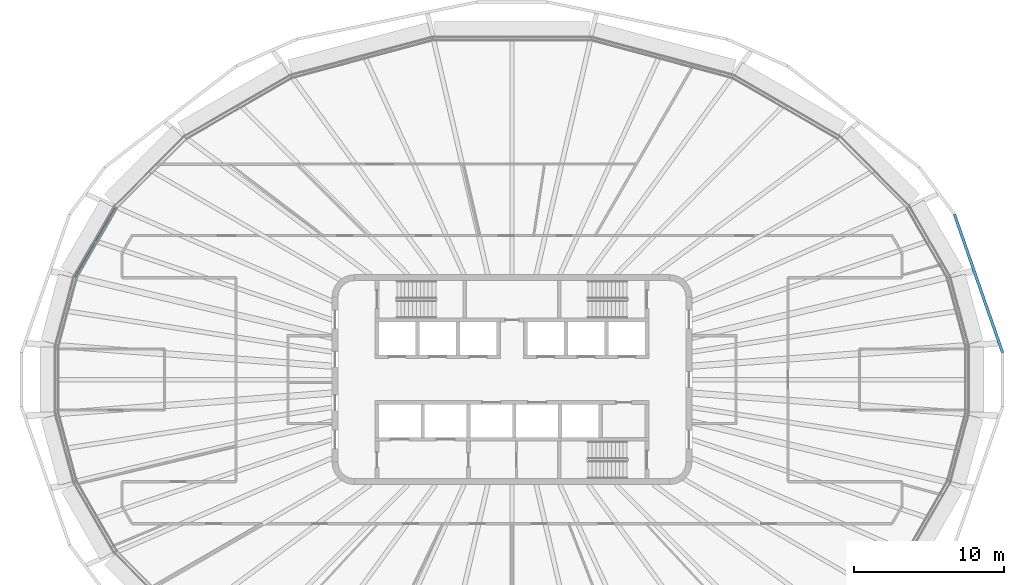
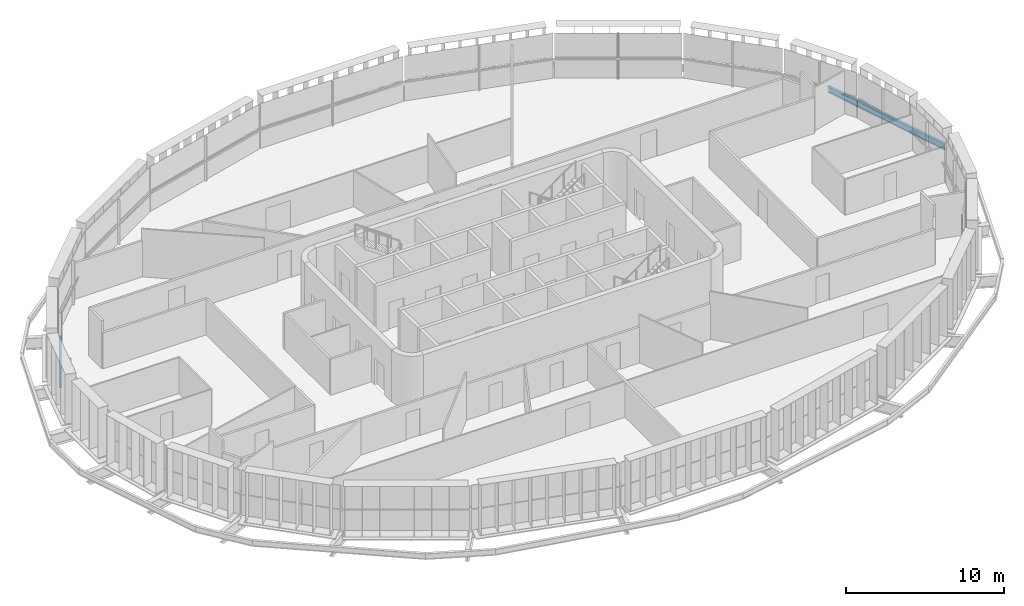
# One storey, part 5 of 20: 2 beams.
"""IFC4 building model written with IfcOpenShell, lengths in metres."""

from ifc_helpers import new_model, si_unit, direction, frame, origin, origin_2d, place, context, subcontext, project, spatial, i_section, extrude, material, material_profile, profile_set, type_object, element, save


model = new_model("IFC4")

# Units and contexts
model_context = context("Model", 3, precision=1e-05, world=origin(), true_north=direction((0.0, 1.0)))
body_context = subcontext(model_context, "Body", "Model", "MODEL_VIEW")
ifc_project = project(units=[si_unit("LENGTHUNIT", "METRE"), si_unit("AREAUNIT", "SQUARE_METRE"), si_unit("VOLUMEUNIT", "CUBIC_METRE"), si_unit("PLANEANGLEUNIT", "RADIAN"), si_unit("MASSUNIT", "GRAM", prefix="KILO")], contexts=[model_context])

# Site, building, storey
site_placement = place(None, origin())
site = spatial("IfcSite", under=ifc_project, at=site_placement, CompositionType="ELEMENT")
building_placement = place(site_placement, origin())
building = spatial("IfcBuilding", under=site, at=building_placement, Name="Sahrelin Media Tower", CompositionType="ELEMENT")
storey_placement = place(building_placement, frame((0.0, 0.0, 245.60009765625)))
storey = spatial("IfcBuildingStorey", under=building, at=storey_placement, Name="L53", CompositionType="ELEMENT", Elevation=245.60009765625)

# Beams
ifc_material = material(Name="Steel S355", Category="steel")
ifc_material_profile_1 = material_profile(ifc_material, i_section(OverallWidth=0.1650390625, OverallDepth=0.303466796875, WebThickness=0.006103515625, FlangeThickness=0.01025390625, FilletRadius=0.0087890625, at=origin_2d()), Name="UB 305x165x40")
ifc_profile_set_1 = profile_set([ifc_material_profile_1], Name="Steel S355")
beam_type_1 = type_object("IfcBeamType", Name="Edge beam EB2", PredefinedType="BEAM", material=ifc_profile_set_1)
beam_1_placement = place(storey_placement, frame((-29.07177734375, 6.82470703125, -0.3017578125), z_axis=(0.500034814518, 0.86600530268, 0.0), x_axis=(-0.86600530268, 0.500034814518, 0.0)))
element("IfcBeam", 1, at=beam_1_placement, inside=storey, type_object=beam_type_1, Name="Edge beam L53-15", PredefinedType="BEAM", context=body_context, shape_type="SweptSolid", body=[
    extrude(i_section(OverallWidth=0.1650390625, OverallDepth=0.303466796875, WebThickness=0.006103515625, FlangeThickness=0.01025390625, FilletRadius=0.0087890625, at=origin_2d()), origin(), (0.0, 0.0, 1.0), 5.3447265625),
])
ifc_material_profile_2 = material_profile(ifc_material, i_section(OverallWidth=0.1904296875, OverallDepth=0.45703125, WebThickness=0.009033203125, FlangeThickness=0.014404296875, FilletRadius=0.01025390625, at=origin_2d()), Name="UB 457x191x74")
ifc_profile_set_2 = profile_set([ifc_material_profile_2], Name="Steel S355")
beam_type_2 = type_object("IfcBeamType", Name="Tie chord TC5", PredefinedType="BEAM", material=ifc_profile_set_2)
beam_2_placement = place(storey_placement, frame((32.7041015625, 1.801513671875, -0.378662109375), z_axis=(-0.328790124037, 0.944403014785, 0.0), x_axis=(-0.944403014785, -0.328790124037, 0.0)))
element("IfcBeam", 2, at=beam_2_placement, inside=storey, type_object=beam_type_2, Name="Tie chord L53-01", PredefinedType="BEAM", context=body_context, shape_type="SweptSolid", body=[
    extrude(i_section(OverallWidth=0.1904296875, OverallDepth=0.45703125, WebThickness=0.009033203125, FlangeThickness=0.014404296875, FilletRadius=0.01025390625, at=origin_2d()), origin(), (0.0, 0.0, 1.0), 9.767333984375),
])

save(model, "model.ifc")
